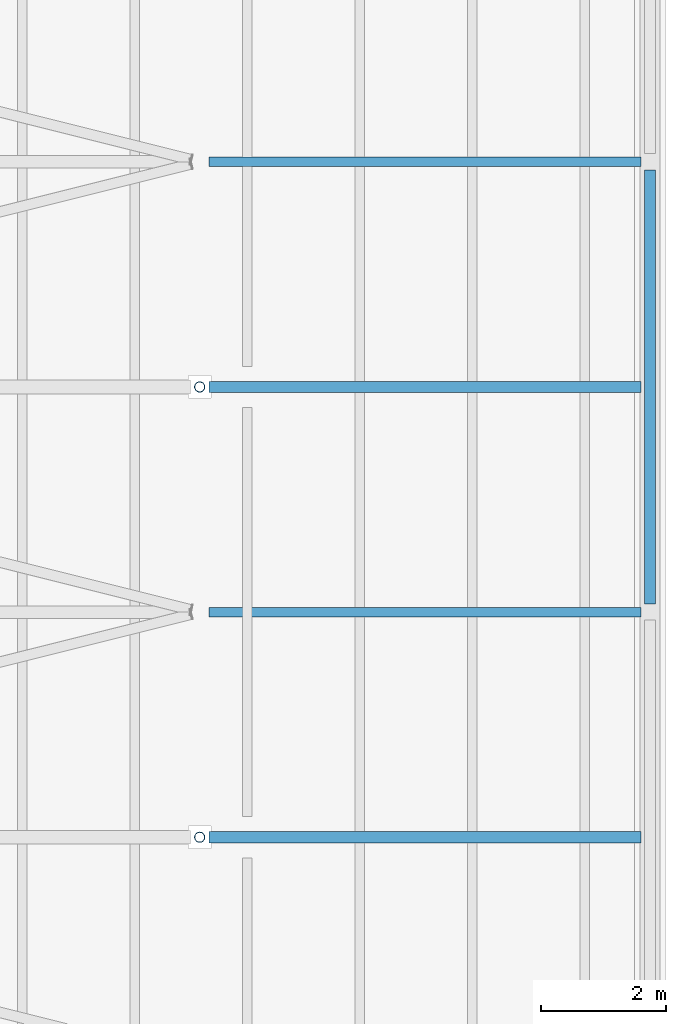
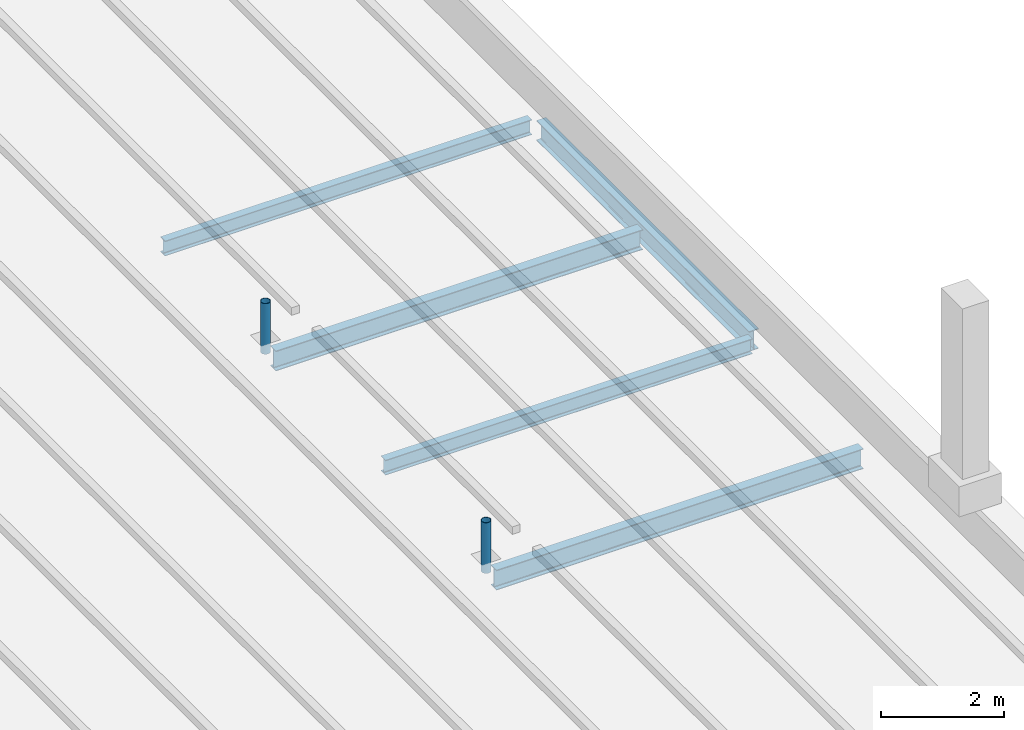
# One storey, part 53 of 120: 5 beams, 2 members.
"""IFC4 building model written with IfcOpenShell, lengths in metres."""

from ifc_helpers import new_model, si_unit, direction, frame, origin, origin_2d, place, context, subcontext, project, spatial, hollow_circle, i_section, extrude, material, material_profile, profile_set, type_object, element, save


model = new_model("IFC4")

# Units and contexts
model_context = context("Model", 3, precision=1e-05, world=origin(), true_north=direction((0.0, 1.0)))
body_context = subcontext(model_context, "Body", "Model", "MODEL_VIEW")
ifc_project = project(units=[si_unit("LENGTHUNIT", "METRE"), si_unit("AREAUNIT", "SQUARE_METRE"), si_unit("VOLUMEUNIT", "CUBIC_METRE"), si_unit("PLANEANGLEUNIT", "RADIAN"), si_unit("MASSUNIT", "GRAM", prefix="KILO")], contexts=[model_context])

# Site, building, storey
site_placement = place(None, origin())
site = spatial("IfcSite", under=ifc_project, at=site_placement, CompositionType="ELEMENT")
building_placement = place(site_placement, origin())
building = spatial("IfcBuilding", under=site, at=building_placement, Name="Kupolbacken Congress Centre", CompositionType="ELEMENT")
storey_placement = place(building_placement, frame((0.0, 0.0, 21.60009765625)))
storey = spatial("IfcBuildingStorey", under=building, at=storey_placement, Name="L06", CompositionType="ELEMENT", Elevation=21.60009765625)

# Beams
ifc_material_1 = material(Name="Steel S355", Category="steel")
ifc_material_profile_1 = material_profile(ifc_material_1, i_section(OverallWidth=0.14990234375, OverallDepth=0.300048828125, WebThickness=0.007080078125, FlangeThickness=0.0107421875, FilletRadius=0.014892578125, at=origin_2d()), Name="IPE 300")
ifc_profile_set_1 = profile_set([ifc_material_profile_1], Name="Steel S355")
beam_type_1 = type_object("IfcBeamType", Name="B04 beam IPE 300", PredefinedType="BEAM", material=ifc_profile_set_1)
for number, where, z_axis, x_axis, name in (
    (1, (194.544921875, 79.199951171875, -0.150146484375), (1.0, 0.0, 0.0), (0.0, 1.0, 0.0), "HR/P10-08"),
    (2, (194.544921875, 86.39990234375, -0.150146484375), (1.0, 0.0, 0.0), (0.0, 1.0, 0.0), "HR/P12-08"),
):
    element("IfcBeam", number, at=place(storey_placement, frame(where, z_axis=z_axis, x_axis=x_axis)), inside=storey, type_object=beam_type_1, Name=name, PredefinedType="BEAM", context=body_context, shape_type="SweptSolid", body=[
        extrude(i_section(OverallWidth=0.14990234375, OverallDepth=0.300048828125, WebThickness=0.007080078125, FlangeThickness=0.0107421875, FilletRadius=0.014892578125, at=origin_2d()), origin(), (0.0, 0.0, 1.0), 6.9150390625),
    ])
ifc_material_2 = material(Name="Steel S355", Category="steel")
ifc_material_profile_2 = material_profile(ifc_material_2, i_section(OverallWidth=0.179931640625, OverallDepth=0.39990234375, WebThickness=0.008544921875, FlangeThickness=0.013427734375, FilletRadius=0.02099609375, at=origin_2d()), Name="IPE 400")
ifc_profile_set_2 = profile_set([ifc_material_profile_2], Name="Steel S355")
beam_type_2 = type_object("IfcBeamType", Name="B07 beam IPE 400", PredefinedType="BEAM", material=ifc_profile_set_2)
beam_placement = place(storey_placement, frame((201.60009765625, 79.330078125, -0.2001953125), z_axis=(0.0, 1.0, 0.0), x_axis=(-1.0, 0.0, 0.0)))
element("IfcBeam", 3, at=beam_placement, inside=storey, type_object=beam_type_2, Name="HR/GE06", PredefinedType="BEAM", context=body_context, shape_type="SweptSolid", body=[
    extrude(i_section(OverallWidth=0.179931640625, OverallDepth=0.39990234375, WebThickness=0.008544921875, FlangeThickness=0.013427734375, FilletRadius=0.02099609375, at=origin_2d()), origin(), (0.0, 0.0, 1.0), 6.93994140625),
])
for number, where, z_axis, x_axis, name in (
    (4, (194.544921875, 75.60009765625, -0.2001953125), (1.0, 0.0, 0.0), (0.0, 1.0, 0.0), "HR/X09-08"),
    (5, (194.544921875, 82.800048828125, -0.2001953125), (1.0, 0.0, 0.0), (0.0, 1.0, 0.0), "HR/X11-08"),
):
    element("IfcBeam", number, at=place(storey_placement, frame(where, z_axis=z_axis, x_axis=x_axis)), inside=storey, type_object=beam_type_2, Name=name, PredefinedType="BEAM", context=body_context, shape_type="SweptSolid", body=[
        extrude(i_section(OverallWidth=0.179931640625, OverallDepth=0.39990234375, WebThickness=0.008544921875, FlangeThickness=0.013427734375, FilletRadius=0.02099609375, at=origin_2d()), origin(), (0.0, 0.0, 1.0), 6.9150390625),
    ])

# Members
ifc_material_3 = material(Name="Steel S355", Category="steel")
ifc_material_profile_3 = material_profile(ifc_material_3, hollow_circle(Radius=0.084228515625, WallThickness=0.008056640625, at=origin_2d()), Name="CHS 168.3 x 8")
ifc_profile_set_3 = profile_set([ifc_material_profile_3], Name="Steel S355")
member_type = type_object("IfcMemberType", Name="M20 transfer truss post CHS 168.3 x 8", PredefinedType="STRUT", material=ifc_profile_set_3)
for number, where, z_axis, x_axis, name in (
    (6, (194.39990234375, 75.60009765625, -0.010009765625), (0.0, 0.0, 1.0), (1.0, 0.0, 0.0), "Roof stay anchor post M8S.2"),
    (7, (194.39990234375, 82.800048828125, -0.010009765625), (0.0, 0.0, 1.0), (1.0, 0.0, 0.0), "Roof stay anchor post M8N.2"),
):
    element("IfcMember", number, at=place(storey_placement, frame(where, z_axis=z_axis, x_axis=x_axis)), inside=storey, type_object=member_type, Name=name, PredefinedType="STRUT", context=body_context, shape_type="SweptSolid", body=[
        extrude(hollow_circle(Radius=0.084228515625, WallThickness=0.008056640625, at=origin_2d()), origin(), (0.0, 0.0, 1.0), 1.010009765625),
    ])

save(model, "model.ifc")
